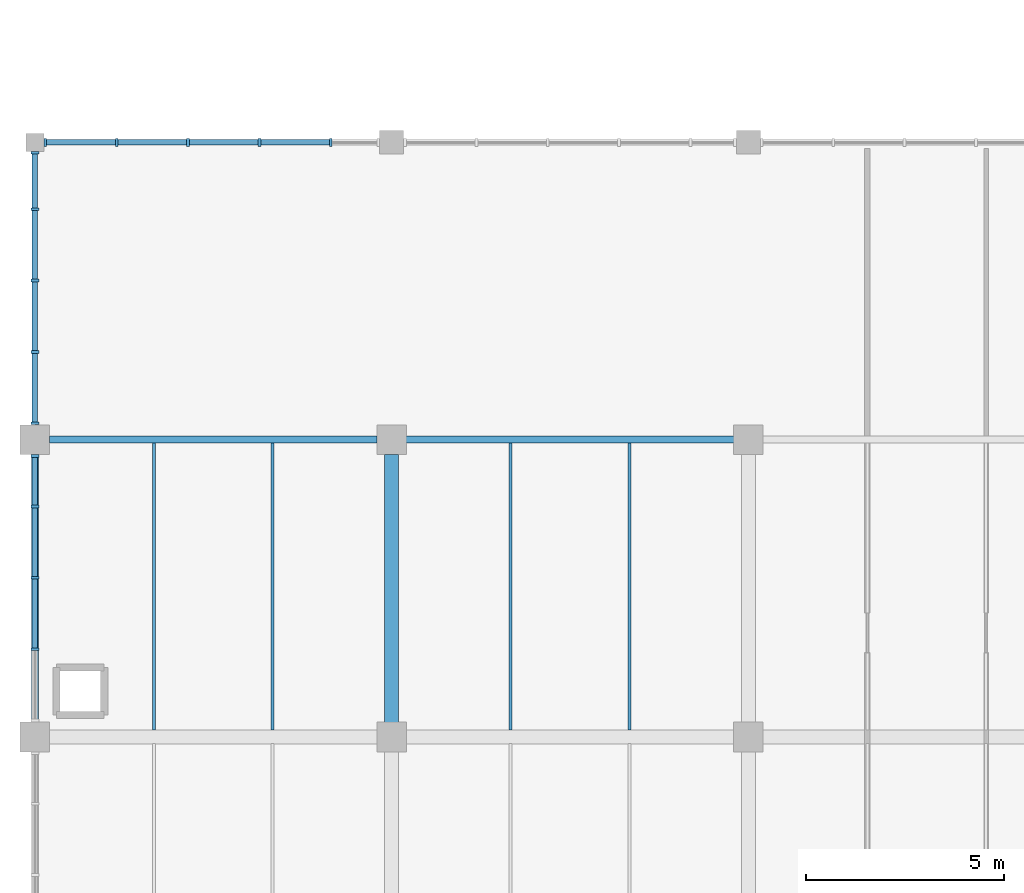
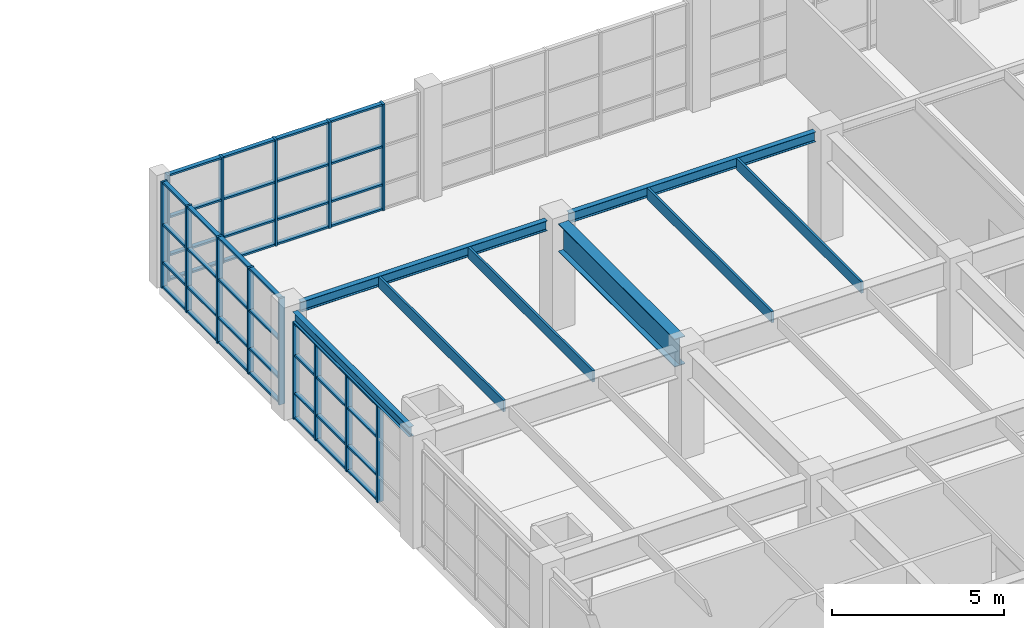
# One storey, part 15 of 76: 58 members, 8 beams, 3 elements without a shape of their own.
"""IFC4 building model written with IfcOpenShell, lengths in metres."""

import ifcopenshell
import ifcopenshell.guid

model = None  # the IFC model being written
_history = None  # IfcOwnerHistory: only IFC2X3 demands one
_inside = {}  # id of a spatial element -> (the spatial element, [elements in it])
_under = {}  # id of a project, library or spatial element -> (it, [spatial elements below it])
_declared = {}  # id of a project -> (the project, [libraries it declares])
_typed = {}  # id of a type object -> (the type object, [elements of that type])
_made_of = {}  # id of a material, layer set ... -> (it, [elements and type objects made of it])


def new_model(schema):
    """Start an empty IFC model of exactly this schema.

    Asked for "IFC4X3", IfcOpenShell would pick the latest addendum, in which some entities
    have other attributes; the version numbers below select the first issue.
    IFC2X3 requires an IfcOwnerHistory on every rooted entity: one is made here for all.
    """
    global model, _history
    if schema == "IFC4X3":
        model = ifcopenshell.file(schema_version=(4, 3, 0, 0))
    else:
        model = ifcopenshell.file(schema=schema)
    _inside.clear()
    _under.clear()
    _declared.clear()
    _typed.clear()
    _made_of.clear()
    _history = None
    if model.schema == "IFC2X3":
        org = make("IfcOrganization", Name="unknown")
        user = make(
            "IfcPersonAndOrganization",
            ThePerson=make("IfcPerson", FamilyName="unknown"),
            TheOrganization=org,
        )
        app = make(
            "IfcApplication",
            ApplicationDeveloper=org,
            Version="unknown",
            ApplicationFullName="unknown",
            ApplicationIdentifier="unknown",
        )
        _history = make(
            "IfcOwnerHistory",
            OwningUser=user,
            OwningApplication=app,
            ChangeAction="ADDED",
            CreationDate=0,
        )
    return model


def make(cls, **values):
    """One entity of the class cls with the attributes given. An attribute that is None is left unset."""
    return model.create_entity(
        cls, **{name: value for name, value in values.items() if value is not None}
    )


def rooted(cls, **values):
    """An entity with a GlobalId (a new one), such as an element, a storey or a relation."""
    return make(cls, GlobalId=ifcopenshell.guid.new(), OwnerHistory=_history, **values)


def si_unit(unit_type, name, prefix=None):
    """IfcSIUnit, for example si_unit("LENGTHUNIT", "METRE", prefix="MILLI")."""
    return make("IfcSIUnit", UnitType=unit_type, Prefix=prefix, Name=name)


def assignment(units):
    """IfcUnitAssignment: the units of a project."""
    return None if units is None else make("IfcUnitAssignment", Units=units)


def point(xyz):
    """IfcCartesianPoint."""
    return None if xyz is None else make("IfcCartesianPoint", Coordinates=xyz)


def direction(xyz):
    """IfcDirection."""
    return None if xyz is None else make("IfcDirection", DirectionRatios=xyz)


def frame(location, z_axis=None, x_axis=None):
    """IfcAxis2Placement3D, a coordinate frame: its origin and axes. An axis left out is left unset."""
    return make(
        "IfcAxis2Placement3D",
        Location=point(location),
        Axis=direction(z_axis),
        RefDirection=direction(x_axis),
    )


def frame_2d(location, x_axis=None):
    """IfcAxis2Placement2D, a coordinate frame in the plane: its origin and x axis."""
    return make(
        "IfcAxis2Placement2D", Location=point(location), RefDirection=direction(x_axis)
    )


def origin():
    """The frame at (0, 0, 0) with its axes left unset."""
    return frame((0.0, 0.0, 0.0))


def origin_2d():
    """The frame at (0, 0) in the plane with its x axis left unset."""
    return frame_2d((0.0, 0.0))


def place(relative_to, where):
    """IfcLocalPlacement: puts the frame where relative to a parent placement (None: the world)."""
    return make(
        "IfcLocalPlacement", PlacementRelTo=relative_to, RelativePlacement=where
    )


def context(
    kind, dimensions, precision=None, world=None, true_north=None, identifier=None
):
    """IfcGeometricRepresentationContext, for example the 3D "Model" context."""
    return make(
        "IfcGeometricRepresentationContext",
        ContextIdentifier=identifier,
        ContextType=kind,
        CoordinateSpaceDimension=dimensions,
        Precision=precision,
        WorldCoordinateSystem=world,
        TrueNorth=true_north,
    )


def subcontext(parent, identifier, kind, view, scale=None):
    """IfcGeometricRepresentationSubContext, for example "Body" below "Model"."""
    return make(
        "IfcGeometricRepresentationSubContext",
        ContextIdentifier=identifier,
        ContextType=kind,
        ParentContext=parent,
        TargetScale=scale,
        TargetView=view,
    )


def project(units=None, contexts=None):
    """IfcProject with its units and contexts."""
    return rooted(
        "IfcProject",
        Name="project",
        RepresentationContexts=contexts,
        UnitsInContext=assignment(units),
    )


def spatial(cls, under=None, at=None, **own):
    """A site, building, storey or space (cls), placed at a placement, below another one or the project."""
    s = rooted(cls, ObjectPlacement=at, **own)
    if under is not None:
        _under.setdefault(under.id(), (under, []))[1].append(s)
    return s


def profile(cls, at=None, kind="AREA", **sizes):
    """A parametric profile (cls). Its sizes go by their IFC names, for example OverallWidth=200.0."""
    return make(cls, ProfileType=kind, Position=at, **sizes)


def rectangle(**sizes):
    """IfcRectangleProfileDef."""
    return profile("IfcRectangleProfileDef", **sizes)


def i_section(**sizes):
    """IfcIShapeProfileDef."""
    return profile("IfcIShapeProfileDef", **sizes)


def extrude(swept, where, along, depth):
    """IfcExtrudedAreaSolid: the profile swept, set in the frame where, extruded along a direction by depth."""
    return make(
        "IfcExtrudedAreaSolid",
        SweptArea=swept,
        Position=where,
        ExtrudedDirection=direction(along),
        Depth=depth,
    )


def shape(context_of_items, identifier, shape_type, items):
    """IfcShapeRepresentation: the items that make up one representation, for example the "Body"."""
    return make(
        "IfcShapeRepresentation",
        ContextOfItems=context_of_items,
        RepresentationIdentifier=identifier,
        RepresentationType=shape_type,
        Items=items,
    )


def material(Name=None, Category=None):
    """IfcMaterial."""
    return make("IfcMaterial", Name=Name, Category=Category)


def layer(
    of_material, thickness, ventilated=None, Name=None, Category=None, Priority=None
):
    """IfcMaterialLayer: one layer of a wall or slab, of a material (None: an air gap)."""
    return make(
        "IfcMaterialLayer",
        Material=of_material,
        LayerThickness=thickness,
        IsVentilated=ventilated,
        Name=Name,
        Category=Category,
        Priority=Priority,
    )


def layer_set(layers, Name=None):
    """IfcMaterialLayerSet."""
    return make("IfcMaterialLayerSet", MaterialLayers=layers, LayerSetName=Name)


def material_profile(
    of_material, cross_section, Name=None, Category=None, Priority=None
):
    """IfcMaterialProfile: a cross section and its material."""
    return make(
        "IfcMaterialProfile",
        Name=Name,
        Material=of_material,
        Profile=cross_section,
        Priority=Priority,
        Category=Category,
    )


def profile_set(profiles, Name=None, composite=None):
    """IfcMaterialProfileSet."""
    return make(
        "IfcMaterialProfileSet",
        Name=Name,
        MaterialProfiles=profiles,
        CompositeProfile=composite,
    )


def made_of(thing, what):
    """Note that an element or type object is made of a material, layer set ...; save() writes the relation."""
    if what is not None:
        _made_of.setdefault(what.id(), (what, []))[1].append(thing)
    return thing


def type_object(cls, material=None, **own):
    """A type object (cls), such as IfcWallType, which elements share."""
    return made_of(rooted(cls, **own), material)


def element(
    cls,
    number,
    at=None,
    inside=None,
    cuts=None,
    type_object=None,
    material=None,
    context=None,
    identifier="Body",
    shape_type=None,
    held_by="IfcProductDefinitionShape",
    body=None,
    shapes=None,
    **own,
):
    """One element of the class cls, such as IfcWall. Its Tag is "e" and its number.

    at: its placement. inside: the storey or other place that contains it. cuts: it is an
    opening in that element (IfcRelVoidsElement). A single representation is given by context,
    identifier, shape_type and body (its items); several are given by shapes. held_by: the class
    of the entity that holds the representations. save() writes the other relations.
    """
    e = rooted(cls, Tag="e%d" % number, ObjectPlacement=at, **own)
    if body is not None:
        shapes = [shape(context, identifier, shape_type, body)]
    if shapes is not None:
        e.Representation = make(held_by, Representations=shapes)
    if inside is not None:
        _inside.setdefault(inside.id(), (inside, []))[1].append(e)
    if cuts is not None:
        rooted(
            "IfcRelVoidsElement", RelatingBuildingElement=cuts, RelatedOpeningElement=e
        )
    if type_object is not None:
        _typed.setdefault(type_object.id(), (type_object, []))[1].append(e)
    return made_of(e, material)


def aggregate(whole, parts):
    """IfcRelAggregates: a whole, such as a stair, and the parts it consists of."""
    return rooted("IfcRelAggregates", RelatingObject=whole, RelatedObjects=parts)


def save(model, path):
    """Write the relations noted so far, then the file.

    IfcRelAggregates (storeys below a building ...), IfcRelContainedInSpatialStructure (elements
    in a storey), IfcRelDefinesByType, IfcRelAssociatesMaterial and IfcRelDeclares: one each for
    every whole, place, type object, material and project.
    """
    for whole, parts in _under.values():
        aggregate(whole, parts)
    for where, things in _inside.values():
        rooted(
            "IfcRelContainedInSpatialStructure",
            RelatedElements=things,
            RelatingStructure=where,
        )
    for kind, things in _typed.values():
        rooted("IfcRelDefinesByType", RelatedObjects=things, RelatingType=kind)
    for what, things in _made_of.values():
        rooted("IfcRelAssociatesMaterial", RelatedObjects=things, RelatingMaterial=what)
    for by, libraries in _declared.values():
        rooted("IfcRelDeclares", RelatingContext=by, RelatedDefinitions=libraries)
    model.write(path)


model = new_model("IFC4")

# Units and contexts
model_context = context("Model", 3, precision=1e-05, world=origin(), true_north=direction((0.0, 1.0)))
body_context = subcontext(model_context, "Body", "Model", "MODEL_VIEW")
ifc_project = project(units=[si_unit("LENGTHUNIT", "METRE"), si_unit("AREAUNIT", "SQUARE_METRE"), si_unit("VOLUMEUNIT", "CUBIC_METRE"), si_unit("PLANEANGLEUNIT", "RADIAN"), si_unit("MASSUNIT", "GRAM", prefix="KILO")], contexts=[model_context])

# Site, building, storey
site_placement = place(None, origin())
site = spatial("IfcSite", under=ifc_project, at=site_placement, CompositionType="ELEMENT")
building_placement = place(site_placement, origin())
building = spatial("IfcBuilding", under=site, at=building_placement, Name="Marnridge Secondary College", CompositionType="ELEMENT")
storey_placement = place(building_placement, frame((0.0, 0.0, 4.5)))
storey = spatial("IfcBuildingStorey", under=building, at=storey_placement, Name="L01", CompositionType="ELEMENT", Elevation=4.5)

# Beams
ifc_material_1 = material(Name="Engineered timber LVL E13.2", Category="wood")
ifc_material_profile_1 = material_profile(ifc_material_1, rectangle(XDim=0.074951171875, YDim=0.39990234375, at=origin_2d()), Name="LVL 75x400")
ifc_profile_set_1 = profile_set([ifc_material_profile_1], Name="Engineered timber LVL E13.2")
beam_type_1 = type_object("IfcBeamType", Name="BM-LVL400-INT", PredefinedType="JOIST", material=ifc_profile_set_1)
for number, where, z_axis, x_axis, name in (
    (1, (3.0, 30.1689453125, 3.570068359375), (0.0, 1.0, 0.0), (-1.0, 0.0, 0.0), "Beam BJ-L01-0748"),
    (2, (6.0, 30.1689453125, 3.570068359375), (0.0, 1.0, 0.0), (-1.0, 0.0, 0.0), "Beam BJ-L01-0749"),
    (3, (12.0, 30.1689453125, 3.570068359375), (0.0, 1.0, 0.0), (-1.0, 0.0, 0.0), "Beam BJ-L01-0750"),
    (4, (15.0, 30.1689453125, 3.570068359375), (0.0, 1.0, 0.0), (-1.0, 0.0, 0.0), "Beam BJ-L01-0751"),
):
    element("IfcBeam", number, at=place(storey_placement, frame(where, z_axis=z_axis, x_axis=x_axis)), inside=storey, type_object=beam_type_1, Name=name, PredefinedType="JOIST", context=body_context, shape_type="SweptSolid", body=[
        extrude(rectangle(XDim=0.074951171875, YDim=0.39990234375, at=origin_2d()), origin(), (0.0, 0.0, 1.0), 7.25146484375),
    ])
ifc_material_2 = material(Name="Structural steel Grade 350 (AS/NZS 3679.1/.2, fy = 340-360 MPa)", Category="steel")
ifc_material_profile_2 = material_profile(ifc_material_2, i_section(OverallWidth=0.1708984375, OverallDepth=0.35205078125, WebThickness=0.0068359375, FlangeThickness=0.009765625, FilletRadius=0.011474609375, at=origin_2d()), Name="360UB44.7")
ifc_profile_set_2 = profile_set([ifc_material_profile_2], Name="Structural steel Grade 350 (AS/NZS 3679.1/.2, fy = 340-360 MPa)")
beam_type_2 = type_object("IfcBeamType", Name="BM-UB360-EXT", PredefinedType="SPANDREL", material=ifc_profile_set_2)
beam_1_placement = place(storey_placement, frame((0.368896484375, 37.5, 3.593994140625), z_axis=(1.0, 0.0, 0.0), x_axis=(0.0, 1.0, 0.0)))
element("IfcBeam", 5, at=beam_1_placement, inside=storey, type_object=beam_type_2, Name="Beam BS-L01-0704", PredefinedType="SPANDREL", context=body_context, shape_type="SweptSolid", body=[
    extrude(i_section(OverallWidth=0.1708984375, OverallDepth=0.35205078125, WebThickness=0.0068359375, FlangeThickness=0.009765625, FilletRadius=0.011474609375, at=origin_2d()), origin(), (0.0, 0.0, 1.0), 8.26220703125),
])
beam_2_placement = place(storey_placement, frame((0.0, 30.368896484375, 3.593994140625), z_axis=(0.0, 1.0, 0.0), x_axis=(-1.0, 0.0, 0.0)))
element("IfcBeam", 6, at=beam_2_placement, inside=storey, type_object=beam_type_2, Name="Beam BS-L01-0705", PredefinedType="SPANDREL", context=body_context, shape_type="SweptSolid", body=[
    extrude(i_section(OverallWidth=0.1708984375, OverallDepth=0.35205078125, WebThickness=0.0068359375, FlangeThickness=0.009765625, FilletRadius=0.011474609375, at=origin_2d()), origin(), (0.0, 0.0, 1.0), 6.76220703125),
])
beam_3_placement = place(storey_placement, frame((9.368896484375, 37.5, 3.593994140625), z_axis=(1.0, 0.0, 0.0), x_axis=(0.0, 1.0, 0.0)))
element("IfcBeam", 7, at=beam_3_placement, inside=storey, type_object=beam_type_2, Name="Beam BS-L01-0707", PredefinedType="SPANDREL", context=body_context, shape_type="SweptSolid", body=[
    extrude(i_section(OverallWidth=0.1708984375, OverallDepth=0.35205078125, WebThickness=0.0068359375, FlangeThickness=0.009765625, FilletRadius=0.011474609375, at=origin_2d()), origin(), (0.0, 0.0, 1.0), 8.26220703125),
])
ifc_material_3 = material(Name="Structural steel Grade 350 (AS/NZS 3679.1/.2, fy = 340-360 MPa)", Category="steel")
ifc_material_profile_3 = material_profile(ifc_material_3, i_section(OverallWidth=0.35009765625, OverallDepth=0.989990234375, WebThickness=0.01611328125, FlangeThickness=0.02490234375, at=origin_2d()), Name="1000WB258")
ifc_profile_set_3 = profile_set([ifc_material_profile_3], Name="Structural steel Grade 350 (AS/NZS 3679.1/.2, fy = 340-360 MPa)")
beam_type_3 = type_object("IfcBeamType", Name="BM-WB1000-INT", PredefinedType="BEAM", material=ifc_profile_set_3)
beam_4_placement = place(storey_placement, frame((9.0, 30.368896484375, 3.27490234375), z_axis=(0.0, 1.0, 0.0), x_axis=(-1.0, 0.0, 0.0)))
element("IfcBeam", 8, at=beam_4_placement, inside=storey, type_object=beam_type_3, Name="Beam B-L01-0706", PredefinedType="BEAM", context=body_context, shape_type="SweptSolid", body=[
    extrude(i_section(OverallWidth=0.35009765625, OverallDepth=0.989990234375, WebThickness=0.01611328125, FlangeThickness=0.02490234375, at=origin_2d()), origin(), (0.0, 0.0, 1.0), 6.76220703125),
])

# Curtain wall, members
ifc_material_4 = material(Name="Bronze-anodised aluminium and solar-control glazing", Category="aluminium")
ifc_layer = layer(ifc_material_4, 0.199951171875)
ifc_layer_set = layer_set([ifc_layer], Name="CW-MOD-1800")
curtain_wall_type = type_object("IfcCurtainWallType", Name="CW-MOD-1800", PredefinedType="NOTDEFINED", material=ifc_layer_set)
curtain_wall_1_placement = place(storey_placement, origin())
curtain_wall_1 = element("IfcCurtainWall", 9, at=curtain_wall_1_placement, inside=storey, type_object=curtain_wall_type, Name="Unitised curtain wall CW-L01-059", PredefinedType="NOTDEFINED")
ifc_material_5 = material(Name="Bronze-anodised aluminium 6063-T6", Category="aluminium")
ifc_material_profile_4 = material_profile(ifc_material_5, rectangle(XDim=0.070068359375, YDim=0.199951171875, at=origin_2d()), Name="ALU 70x200")
ifc_profile_set_4 = profile_set([ifc_material_profile_4], Name="Bronze-anodised aluminium 6063-T6")
member_type_1 = type_object("IfcMemberType", Name="CWM-ALU200", PredefinedType="MULLION", material=ifc_profile_set_4)
member_1_placement = place(storey_placement, frame((0.263916015625, 45.0, 0.0), z_axis=(0.0, 0.0, 1.0), x_axis=(1.0, 0.0, 0.0)))
member_1 = element("IfcMember", 10, at=member_1_placement, type_object=member_type_1, Name="CW-L01-059 mullion 1", PredefinedType="MULLION", context=body_context, shape_type="SweptSolid", body=[
    extrude(rectangle(XDim=0.070068359375, YDim=0.199951171875, at=origin_2d()), origin(), (0.0, 0.0, 1.0), 3.77001953125),
])
member_2_placement = place(storey_placement, frame((2.06396484375, 45.0, 0.0), z_axis=(0.0, 0.0, 1.0), x_axis=(1.0, 0.0, 0.0)))
member_2 = element("IfcMember", 11, at=member_2_placement, type_object=member_type_1, Name="CW-L01-059 mullion 2", PredefinedType="MULLION", context=body_context, shape_type="SweptSolid", body=[
    extrude(rectangle(XDim=0.070068359375, YDim=0.199951171875, at=origin_2d()), origin(), (0.0, 0.0, 1.0), 3.77001953125),
])
member_3_placement = place(storey_placement, frame((3.864013671875, 45.0, 0.0), z_axis=(0.0, 0.0, 1.0), x_axis=(1.0, 0.0, 0.0)))
member_3 = element("IfcMember", 12, at=member_3_placement, type_object=member_type_1, Name="CW-L01-059 mullion 3", PredefinedType="MULLION", context=body_context, shape_type="SweptSolid", body=[
    extrude(rectangle(XDim=0.070068359375, YDim=0.199951171875, at=origin_2d()), origin(), (0.0, 0.0, 1.0), 3.77001953125),
])
member_4_placement = place(storey_placement, frame((5.6640625, 45.0, 0.0), z_axis=(0.0, 0.0, 1.0), x_axis=(1.0, 0.0, 0.0)))
member_4 = element("IfcMember", 13, at=member_4_placement, type_object=member_type_1, Name="CW-L01-059 mullion 4", PredefinedType="MULLION", context=body_context, shape_type="SweptSolid", body=[
    extrude(rectangle(XDim=0.070068359375, YDim=0.199951171875, at=origin_2d()), origin(), (0.0, 0.0, 1.0), 3.77001953125),
])
member_5_placement = place(storey_placement, frame((7.464111328125, 45.0, 0.0), z_axis=(0.0, 0.0, 1.0), x_axis=(1.0, 0.0, 0.0)))
member_5 = element("IfcMember", 14, at=member_5_placement, type_object=member_type_1, Name="CW-L01-059 mullion 5", PredefinedType="MULLION", context=body_context, shape_type="SweptSolid", body=[
    extrude(rectangle(XDim=0.070068359375, YDim=0.199951171875, at=origin_2d()), origin(), (0.0, 0.0, 1.0), 3.77001953125),
])

curtain_wall_2_placement = place(storey_placement, origin())
curtain_wall_2 = element("IfcCurtainWall", 15, at=curtain_wall_2_placement, inside=storey, type_object=curtain_wall_type, Name="Unitised curtain wall CW-L01-071", PredefinedType="NOTDEFINED")
member_6_placement = place(storey_placement, frame((0.0, 32.214111328125, 0.0), z_axis=(0.0, 0.0, 1.0), x_axis=(0.0, 1.0, 0.0)))
member_6 = element("IfcMember", 16, at=member_6_placement, type_object=member_type_1, Name="CW-L01-071 mullion 2", PredefinedType="MULLION", context=body_context, shape_type="SweptSolid", body=[
    extrude(rectangle(XDim=0.070068359375, YDim=0.199951171875, at=origin_2d()), origin(), (0.0, 0.0, 1.0), 3.409912109375),
])
member_7_placement = place(storey_placement, frame((0.0, 34.013916015625, 0.0), z_axis=(0.0, 0.0, 1.0), x_axis=(0.0, 1.0, 0.0)))
member_7 = element("IfcMember", 17, at=member_7_placement, type_object=member_type_1, Name="CW-L01-071 mullion 3", PredefinedType="MULLION", context=body_context, shape_type="SweptSolid", body=[
    extrude(rectangle(XDim=0.070068359375, YDim=0.199951171875, at=origin_2d()), origin(), (0.0, 0.0, 1.0), 3.409912109375),
])
member_8_placement = place(storey_placement, frame((0.0, 35.81396484375, 0.0), z_axis=(0.0, 0.0, 1.0), x_axis=(0.0, 1.0, 0.0)))
member_8 = element("IfcMember", 18, at=member_8_placement, type_object=member_type_1, Name="CW-L01-071 mullion 4", PredefinedType="MULLION", context=body_context, shape_type="SweptSolid", body=[
    extrude(rectangle(XDim=0.070068359375, YDim=0.199951171875, at=origin_2d()), origin(), (0.0, 0.0, 1.0), 3.409912109375),
])
member_9_placement = place(storey_placement, frame((0.0, 37.0859375, 0.0), z_axis=(0.0, 0.0, 1.0), x_axis=(0.0, 1.0, 0.0)))
member_9 = element("IfcMember", 19, at=member_9_placement, type_object=member_type_1, Name="CW-L01-071 mullion 5", PredefinedType="MULLION", context=body_context, shape_type="SweptSolid", body=[
    extrude(rectangle(XDim=0.070068359375, YDim=0.199951171875, at=origin_2d()), origin(), (0.0, 0.0, 1.0), 3.409912109375),
])

curtain_wall_3_placement = place(storey_placement, origin())
curtain_wall_3 = element("IfcCurtainWall", 20, at=curtain_wall_3_placement, inside=storey, type_object=curtain_wall_type, Name="Unitised curtain wall CW-L01-072", PredefinedType="NOTDEFINED")
member_10_placement = place(storey_placement, frame((0.0, 37.9140625, 0.0), z_axis=(0.0, 0.0, 1.0), x_axis=(0.0, 1.0, 0.0)))
member_10 = element("IfcMember", 21, at=member_10_placement, type_object=member_type_1, Name="CW-L01-072 mullion 1", PredefinedType="MULLION", context=body_context, shape_type="SweptSolid", body=[
    extrude(rectangle(XDim=0.070068359375, YDim=0.199951171875, at=origin_2d()), origin(), (0.0, 0.0, 1.0), 3.77001953125),
])
member_11_placement = place(storey_placement, frame((0.0, 39.714111328125, 0.0), z_axis=(0.0, 0.0, 1.0), x_axis=(0.0, 1.0, 0.0)))
member_11 = element("IfcMember", 22, at=member_11_placement, type_object=member_type_1, Name="CW-L01-072 mullion 2", PredefinedType="MULLION", context=body_context, shape_type="SweptSolid", body=[
    extrude(rectangle(XDim=0.070068359375, YDim=0.199951171875, at=origin_2d()), origin(), (0.0, 0.0, 1.0), 3.77001953125),
])
member_12_placement = place(storey_placement, frame((0.0, 41.513916015625, 0.0), z_axis=(0.0, 0.0, 1.0), x_axis=(0.0, 1.0, 0.0)))
member_12 = element("IfcMember", 23, at=member_12_placement, type_object=member_type_1, Name="CW-L01-072 mullion 3", PredefinedType="MULLION", context=body_context, shape_type="SweptSolid", body=[
    extrude(rectangle(XDim=0.070068359375, YDim=0.199951171875, at=origin_2d()), origin(), (0.0, 0.0, 1.0), 3.77001953125),
])
member_13_placement = place(storey_placement, frame((0.0, 43.31396484375, 0.0), z_axis=(0.0, 0.0, 1.0), x_axis=(0.0, 1.0, 0.0)))
member_13 = element("IfcMember", 24, at=member_13_placement, type_object=member_type_1, Name="CW-L01-072 mullion 4", PredefinedType="MULLION", context=body_context, shape_type="SweptSolid", body=[
    extrude(rectangle(XDim=0.070068359375, YDim=0.199951171875, at=origin_2d()), origin(), (0.0, 0.0, 1.0), 3.77001953125),
])
member_14_placement = place(storey_placement, frame((0.0, 44.736083984375, 0.0), z_axis=(0.0, 0.0, 1.0), x_axis=(0.0, 1.0, 0.0)))
member_14 = element("IfcMember", 25, at=member_14_placement, type_object=member_type_1, Name="CW-L01-072 mullion 5", PredefinedType="MULLION", context=body_context, shape_type="SweptSolid", body=[
    extrude(rectangle(XDim=0.070068359375, YDim=0.199951171875, at=origin_2d()), origin(), (0.0, 0.0, 1.0), 3.77001953125),
])

# Member
ifc_material_6 = material(Name="Anodised aluminium 6063-T6", Category="aluminium")
ifc_material_profile_5 = material_profile(ifc_material_6, rectangle(XDim=0.06494140625, YDim=0.139892578125, at=origin_2d()), Name="ALU 65x140")
ifc_profile_set_5 = profile_set([ifc_material_profile_5], Name="Anodised aluminium 6063-T6")
member_type_2 = type_object("IfcMemberType", Name="CWT-ALU140", PredefinedType="USERDEFINED", material=ifc_profile_set_5)
member_15_placement = place(storey_placement, frame((0.299072265625, 45.0, 0.032470703125), z_axis=(1.0, 0.0, 0.0), x_axis=(0.0, 0.0, 1.0)))
member_15 = element("IfcMember", 26, at=member_15_placement, type_object=member_type_2, Name="CW-L01-059 transom 1.1", ObjectType="TRANSOM", PredefinedType="USERDEFINED", context=body_context, shape_type="SweptSolid", body=[
    extrude(rectangle(XDim=0.06494140625, YDim=0.139892578125, at=origin_2d()), origin(), (0.0, 0.0, 1.0), 1.72998046875),
])

member_16_placement = place(storey_placement, frame((0.299072265625, 45.0, 0.89990234375), z_axis=(1.0, 0.0, 0.0), x_axis=(0.0, 0.0, 1.0)))
member_16 = element("IfcMember", 27, at=member_16_placement, type_object=member_type_2, Name="CW-L01-059 transom 1.2", ObjectType="TRANSOM", PredefinedType="USERDEFINED", context=body_context, shape_type="SweptSolid", body=[
    extrude(rectangle(XDim=0.06494140625, YDim=0.139892578125, at=origin_2d()), origin(), (0.0, 0.0, 1.0), 1.72998046875),
])

member_17_placement = place(storey_placement, frame((0.299072265625, 45.0, 2.25), z_axis=(1.0, 0.0, 0.0), x_axis=(0.0, 0.0, 1.0)))
member_17 = element("IfcMember", 28, at=member_17_placement, type_object=member_type_2, Name="CW-L01-059 transom 1.3", ObjectType="TRANSOM", PredefinedType="USERDEFINED", context=body_context, shape_type="SweptSolid", body=[
    extrude(rectangle(XDim=0.06494140625, YDim=0.139892578125, at=origin_2d()), origin(), (0.0, 0.0, 1.0), 1.72998046875),
])

member_18_placement = place(storey_placement, frame((0.299072265625, 45.0, 3.737548828125), z_axis=(1.0, 0.0, 0.0), x_axis=(0.0, 0.0, 1.0)))
member_18 = element("IfcMember", 29, at=member_18_placement, type_object=member_type_2, Name="CW-L01-059 transom 1.4", ObjectType="TRANSOM", PredefinedType="USERDEFINED", context=body_context, shape_type="SweptSolid", body=[
    extrude(rectangle(XDim=0.06494140625, YDim=0.139892578125, at=origin_2d()), origin(), (0.0, 0.0, 1.0), 1.72998046875),
])

member_19_placement = place(storey_placement, frame((2.09912109375, 45.0, 0.032470703125), z_axis=(1.0, 0.0, 0.0), x_axis=(0.0, 0.0, 1.0)))
member_19 = element("IfcMember", 30, at=member_19_placement, type_object=member_type_2, Name="CW-L01-059 transom 2.1", ObjectType="TRANSOM", PredefinedType="USERDEFINED", context=body_context, shape_type="SweptSolid", body=[
    extrude(rectangle(XDim=0.06494140625, YDim=0.139892578125, at=origin_2d()), origin(), (0.0, 0.0, 1.0), 1.72998046875),
])

member_20_placement = place(storey_placement, frame((2.09912109375, 45.0, 0.89990234375), z_axis=(1.0, 0.0, 0.0), x_axis=(0.0, 0.0, 1.0)))
member_20 = element("IfcMember", 31, at=member_20_placement, type_object=member_type_2, Name="CW-L01-059 transom 2.2", ObjectType="TRANSOM", PredefinedType="USERDEFINED", context=body_context, shape_type="SweptSolid", body=[
    extrude(rectangle(XDim=0.06494140625, YDim=0.139892578125, at=origin_2d()), origin(), (0.0, 0.0, 1.0), 1.72998046875),
])

member_21_placement = place(storey_placement, frame((2.09912109375, 45.0, 2.25), z_axis=(1.0, 0.0, 0.0), x_axis=(0.0, 0.0, 1.0)))
member_21 = element("IfcMember", 32, at=member_21_placement, type_object=member_type_2, Name="CW-L01-059 transom 2.3", ObjectType="TRANSOM", PredefinedType="USERDEFINED", context=body_context, shape_type="SweptSolid", body=[
    extrude(rectangle(XDim=0.06494140625, YDim=0.139892578125, at=origin_2d()), origin(), (0.0, 0.0, 1.0), 1.72998046875),
])

member_22_placement = place(storey_placement, frame((2.09912109375, 45.0, 3.737548828125), z_axis=(1.0, 0.0, 0.0), x_axis=(0.0, 0.0, 1.0)))
member_22 = element("IfcMember", 33, at=member_22_placement, type_object=member_type_2, Name="CW-L01-059 transom 2.4", ObjectType="TRANSOM", PredefinedType="USERDEFINED", context=body_context, shape_type="SweptSolid", body=[
    extrude(rectangle(XDim=0.06494140625, YDim=0.139892578125, at=origin_2d()), origin(), (0.0, 0.0, 1.0), 1.72998046875),
])

member_23_placement = place(storey_placement, frame((3.89892578125, 45.0, 0.032470703125), z_axis=(1.0, 0.0, 0.0), x_axis=(0.0, 0.0, 1.0)))
member_23 = element("IfcMember", 34, at=member_23_placement, type_object=member_type_2, Name="CW-L01-059 transom 3.1", ObjectType="TRANSOM", PredefinedType="USERDEFINED", context=body_context, shape_type="SweptSolid", body=[
    extrude(rectangle(XDim=0.06494140625, YDim=0.139892578125, at=origin_2d()), origin(), (0.0, 0.0, 1.0), 1.72998046875),
])

member_24_placement = place(storey_placement, frame((3.89892578125, 45.0, 0.89990234375), z_axis=(1.0, 0.0, 0.0), x_axis=(0.0, 0.0, 1.0)))
member_24 = element("IfcMember", 35, at=member_24_placement, type_object=member_type_2, Name="CW-L01-059 transom 3.2", ObjectType="TRANSOM", PredefinedType="USERDEFINED", context=body_context, shape_type="SweptSolid", body=[
    extrude(rectangle(XDim=0.06494140625, YDim=0.139892578125, at=origin_2d()), origin(), (0.0, 0.0, 1.0), 1.72998046875),
])

member_25_placement = place(storey_placement, frame((3.89892578125, 45.0, 2.25), z_axis=(1.0, 0.0, 0.0), x_axis=(0.0, 0.0, 1.0)))
member_25 = element("IfcMember", 36, at=member_25_placement, type_object=member_type_2, Name="CW-L01-059 transom 3.3", ObjectType="TRANSOM", PredefinedType="USERDEFINED", context=body_context, shape_type="SweptSolid", body=[
    extrude(rectangle(XDim=0.06494140625, YDim=0.139892578125, at=origin_2d()), origin(), (0.0, 0.0, 1.0), 1.72998046875),
])

member_26_placement = place(storey_placement, frame((3.89892578125, 45.0, 3.737548828125), z_axis=(1.0, 0.0, 0.0), x_axis=(0.0, 0.0, 1.0)))
member_26 = element("IfcMember", 37, at=member_26_placement, type_object=member_type_2, Name="CW-L01-059 transom 3.4", ObjectType="TRANSOM", PredefinedType="USERDEFINED", context=body_context, shape_type="SweptSolid", body=[
    extrude(rectangle(XDim=0.06494140625, YDim=0.139892578125, at=origin_2d()), origin(), (0.0, 0.0, 1.0), 1.72998046875),
])

member_27_placement = place(storey_placement, frame((5.698974609375, 45.0, 0.032470703125), z_axis=(1.0, 0.0, 0.0), x_axis=(0.0, 0.0, 1.0)))
member_27 = element("IfcMember", 38, at=member_27_placement, type_object=member_type_2, Name="CW-L01-059 transom 4.1", ObjectType="TRANSOM", PredefinedType="USERDEFINED", context=body_context, shape_type="SweptSolid", body=[
    extrude(rectangle(XDim=0.06494140625, YDim=0.139892578125, at=origin_2d()), origin(), (0.0, 0.0, 1.0), 1.72998046875),
])

member_28_placement = place(storey_placement, frame((5.698974609375, 45.0, 0.89990234375), z_axis=(1.0, 0.0, 0.0), x_axis=(0.0, 0.0, 1.0)))
member_28 = element("IfcMember", 39, at=member_28_placement, type_object=member_type_2, Name="CW-L01-059 transom 4.2", ObjectType="TRANSOM", PredefinedType="USERDEFINED", context=body_context, shape_type="SweptSolid", body=[
    extrude(rectangle(XDim=0.06494140625, YDim=0.139892578125, at=origin_2d()), origin(), (0.0, 0.0, 1.0), 1.72998046875),
])

member_29_placement = place(storey_placement, frame((5.698974609375, 45.0, 2.25), z_axis=(1.0, 0.0, 0.0), x_axis=(0.0, 0.0, 1.0)))
member_29 = element("IfcMember", 40, at=member_29_placement, type_object=member_type_2, Name="CW-L01-059 transom 4.3", ObjectType="TRANSOM", PredefinedType="USERDEFINED", context=body_context, shape_type="SweptSolid", body=[
    extrude(rectangle(XDim=0.06494140625, YDim=0.139892578125, at=origin_2d()), origin(), (0.0, 0.0, 1.0), 1.72998046875),
])

member_30_placement = place(storey_placement, frame((5.698974609375, 45.0, 3.737548828125), z_axis=(1.0, 0.0, 0.0), x_axis=(0.0, 0.0, 1.0)))
member_30 = element("IfcMember", 41, at=member_30_placement, type_object=member_type_2, Name="CW-L01-059 transom 4.4", ObjectType="TRANSOM", PredefinedType="USERDEFINED", context=body_context, shape_type="SweptSolid", body=[
    extrude(rectangle(XDim=0.06494140625, YDim=0.139892578125, at=origin_2d()), origin(), (0.0, 0.0, 1.0), 1.72998046875),
])

aggregate(curtain_wall_1, [member_1, member_2, member_3, member_4, member_5, member_15, member_16, member_17, member_18, member_19, member_20, member_21, member_22, member_23, member_24, member_25, member_26, member_27, member_28, member_29, member_30])

member_31_placement = place(storey_placement, frame((0.0, 32.2490234375, 0.032470703125), z_axis=(0.0, 1.0, 0.0), x_axis=(0.0, 0.0, 1.0)))
member_31 = element("IfcMember", 42, at=member_31_placement, type_object=member_type_2, Name="CW-L01-071 transom 2.1", ObjectType="TRANSOM", PredefinedType="USERDEFINED", context=body_context, shape_type="SweptSolid", body=[
    extrude(rectangle(XDim=0.06494140625, YDim=0.139892578125, at=origin_2d()), origin(), (0.0, 0.0, 1.0), 1.72998046875),
])

member_32_placement = place(storey_placement, frame((0.0, 32.2490234375, 0.89990234375), z_axis=(0.0, 1.0, 0.0), x_axis=(0.0, 0.0, 1.0)))
member_32 = element("IfcMember", 43, at=member_32_placement, type_object=member_type_2, Name="CW-L01-071 transom 2.2", ObjectType="TRANSOM", PredefinedType="USERDEFINED", context=body_context, shape_type="SweptSolid", body=[
    extrude(rectangle(XDim=0.06494140625, YDim=0.139892578125, at=origin_2d()), origin(), (0.0, 0.0, 1.0), 1.72998046875),
])

member_33_placement = place(storey_placement, frame((0.0, 32.2490234375, 2.25), z_axis=(0.0, 1.0, 0.0), x_axis=(0.0, 0.0, 1.0)))
member_33 = element("IfcMember", 44, at=member_33_placement, type_object=member_type_2, Name="CW-L01-071 transom 2.3", ObjectType="TRANSOM", PredefinedType="USERDEFINED", context=body_context, shape_type="SweptSolid", body=[
    extrude(rectangle(XDim=0.06494140625, YDim=0.139892578125, at=origin_2d()), origin(), (0.0, 0.0, 1.0), 1.72998046875),
])

member_34_placement = place(storey_placement, frame((0.0, 32.2490234375, 3.37744140625), z_axis=(0.0, 1.0, 0.0), x_axis=(0.0, 0.0, 1.0)))
member_34 = element("IfcMember", 45, at=member_34_placement, type_object=member_type_2, Name="CW-L01-071 transom 2.4", ObjectType="TRANSOM", PredefinedType="USERDEFINED", context=body_context, shape_type="SweptSolid", body=[
    extrude(rectangle(XDim=0.06494140625, YDim=0.139892578125, at=origin_2d()), origin(), (0.0, 0.0, 1.0), 1.72998046875),
])

member_35_placement = place(storey_placement, frame((0.0, 34.049072265625, 0.032470703125), z_axis=(0.0, 1.0, 0.0), x_axis=(0.0, 0.0, 1.0)))
member_35 = element("IfcMember", 46, at=member_35_placement, type_object=member_type_2, Name="CW-L01-071 transom 3.1", ObjectType="TRANSOM", PredefinedType="USERDEFINED", context=body_context, shape_type="SweptSolid", body=[
    extrude(rectangle(XDim=0.06494140625, YDim=0.139892578125, at=origin_2d()), origin(), (0.0, 0.0, 1.0), 1.72998046875),
])

member_36_placement = place(storey_placement, frame((0.0, 34.049072265625, 0.89990234375), z_axis=(0.0, 1.0, 0.0), x_axis=(0.0, 0.0, 1.0)))
member_36 = element("IfcMember", 47, at=member_36_placement, type_object=member_type_2, Name="CW-L01-071 transom 3.2", ObjectType="TRANSOM", PredefinedType="USERDEFINED", context=body_context, shape_type="SweptSolid", body=[
    extrude(rectangle(XDim=0.06494140625, YDim=0.139892578125, at=origin_2d()), origin(), (0.0, 0.0, 1.0), 1.72998046875),
])

member_37_placement = place(storey_placement, frame((0.0, 34.049072265625, 2.25), z_axis=(0.0, 1.0, 0.0), x_axis=(0.0, 0.0, 1.0)))
member_37 = element("IfcMember", 48, at=member_37_placement, type_object=member_type_2, Name="CW-L01-071 transom 3.3", ObjectType="TRANSOM", PredefinedType="USERDEFINED", context=body_context, shape_type="SweptSolid", body=[
    extrude(rectangle(XDim=0.06494140625, YDim=0.139892578125, at=origin_2d()), origin(), (0.0, 0.0, 1.0), 1.72998046875),
])

member_38_placement = place(storey_placement, frame((0.0, 34.049072265625, 3.37744140625), z_axis=(0.0, 1.0, 0.0), x_axis=(0.0, 0.0, 1.0)))
member_38 = element("IfcMember", 49, at=member_38_placement, type_object=member_type_2, Name="CW-L01-071 transom 3.4", ObjectType="TRANSOM", PredefinedType="USERDEFINED", context=body_context, shape_type="SweptSolid", body=[
    extrude(rectangle(XDim=0.06494140625, YDim=0.139892578125, at=origin_2d()), origin(), (0.0, 0.0, 1.0), 1.72998046875),
])

member_39_placement = place(storey_placement, frame((0.0, 35.84912109375, 0.032470703125), z_axis=(0.0, 1.0, 0.0), x_axis=(0.0, 0.0, 1.0)))
member_39 = element("IfcMember", 50, at=member_39_placement, type_object=member_type_2, Name="CW-L01-071 transom 4.1", ObjectType="TRANSOM", PredefinedType="USERDEFINED", context=body_context, shape_type="SweptSolid", body=[
    extrude(rectangle(XDim=0.06494140625, YDim=0.139892578125, at=origin_2d()), origin(), (0.0, 0.0, 1.0), 1.201904296875),
])

member_40_placement = place(storey_placement, frame((0.0, 35.84912109375, 0.89990234375), z_axis=(0.0, 1.0, 0.0), x_axis=(0.0, 0.0, 1.0)))
member_40 = element("IfcMember", 51, at=member_40_placement, type_object=member_type_2, Name="CW-L01-071 transom 4.2", ObjectType="TRANSOM", PredefinedType="USERDEFINED", context=body_context, shape_type="SweptSolid", body=[
    extrude(rectangle(XDim=0.06494140625, YDim=0.139892578125, at=origin_2d()), origin(), (0.0, 0.0, 1.0), 1.201904296875),
])

member_41_placement = place(storey_placement, frame((0.0, 35.84912109375, 2.25), z_axis=(0.0, 1.0, 0.0), x_axis=(0.0, 0.0, 1.0)))
member_41 = element("IfcMember", 52, at=member_41_placement, type_object=member_type_2, Name="CW-L01-071 transom 4.3", ObjectType="TRANSOM", PredefinedType="USERDEFINED", context=body_context, shape_type="SweptSolid", body=[
    extrude(rectangle(XDim=0.06494140625, YDim=0.139892578125, at=origin_2d()), origin(), (0.0, 0.0, 1.0), 1.201904296875),
])

member_42_placement = place(storey_placement, frame((0.0, 35.84912109375, 3.37744140625), z_axis=(0.0, 1.0, 0.0), x_axis=(0.0, 0.0, 1.0)))
member_42 = element("IfcMember", 53, at=member_42_placement, type_object=member_type_2, Name="CW-L01-071 transom 4.4", ObjectType="TRANSOM", PredefinedType="USERDEFINED", context=body_context, shape_type="SweptSolid", body=[
    extrude(rectangle(XDim=0.06494140625, YDim=0.139892578125, at=origin_2d()), origin(), (0.0, 0.0, 1.0), 1.201904296875),
])

aggregate(curtain_wall_2, [member_6, member_7, member_8, member_9, member_31, member_32, member_33, member_34, member_35, member_36, member_37, member_38, member_39, member_40, member_41, member_42])

member_43_placement = place(storey_placement, frame((0.0, 37.948974609375, 0.032470703125), z_axis=(0.0, 1.0, 0.0), x_axis=(0.0, 0.0, 1.0)))
member_43 = element("IfcMember", 54, at=member_43_placement, type_object=member_type_2, Name="CW-L01-072 transom 1.1", ObjectType="TRANSOM", PredefinedType="USERDEFINED", context=body_context, shape_type="SweptSolid", body=[
    extrude(rectangle(XDim=0.06494140625, YDim=0.139892578125, at=origin_2d()), origin(), (0.0, 0.0, 1.0), 1.72998046875),
])

member_44_placement = place(storey_placement, frame((0.0, 37.948974609375, 0.89990234375), z_axis=(0.0, 1.0, 0.0), x_axis=(0.0, 0.0, 1.0)))
member_44 = element("IfcMember", 55, at=member_44_placement, type_object=member_type_2, Name="CW-L01-072 transom 1.2", ObjectType="TRANSOM", PredefinedType="USERDEFINED", context=body_context, shape_type="SweptSolid", body=[
    extrude(rectangle(XDim=0.06494140625, YDim=0.139892578125, at=origin_2d()), origin(), (0.0, 0.0, 1.0), 1.72998046875),
])

member_45_placement = place(storey_placement, frame((0.0, 37.948974609375, 2.25), z_axis=(0.0, 1.0, 0.0), x_axis=(0.0, 0.0, 1.0)))
member_45 = element("IfcMember", 56, at=member_45_placement, type_object=member_type_2, Name="CW-L01-072 transom 1.3", ObjectType="TRANSOM", PredefinedType="USERDEFINED", context=body_context, shape_type="SweptSolid", body=[
    extrude(rectangle(XDim=0.06494140625, YDim=0.139892578125, at=origin_2d()), origin(), (0.0, 0.0, 1.0), 1.72998046875),
])

member_46_placement = place(storey_placement, frame((0.0, 37.948974609375, 3.737548828125), z_axis=(0.0, 1.0, 0.0), x_axis=(0.0, 0.0, 1.0)))
member_46 = element("IfcMember", 57, at=member_46_placement, type_object=member_type_2, Name="CW-L01-072 transom 1.4", ObjectType="TRANSOM", PredefinedType="USERDEFINED", context=body_context, shape_type="SweptSolid", body=[
    extrude(rectangle(XDim=0.06494140625, YDim=0.139892578125, at=origin_2d()), origin(), (0.0, 0.0, 1.0), 1.72998046875),
])

member_47_placement = place(storey_placement, frame((0.0, 39.7490234375, 0.032470703125), z_axis=(0.0, 1.0, 0.0), x_axis=(0.0, 0.0, 1.0)))
member_47 = element("IfcMember", 58, at=member_47_placement, type_object=member_type_2, Name="CW-L01-072 transom 2.1", ObjectType="TRANSOM", PredefinedType="USERDEFINED", context=body_context, shape_type="SweptSolid", body=[
    extrude(rectangle(XDim=0.06494140625, YDim=0.139892578125, at=origin_2d()), origin(), (0.0, 0.0, 1.0), 1.72998046875),
])

member_48_placement = place(storey_placement, frame((0.0, 39.7490234375, 0.89990234375), z_axis=(0.0, 1.0, 0.0), x_axis=(0.0, 0.0, 1.0)))
member_48 = element("IfcMember", 59, at=member_48_placement, type_object=member_type_2, Name="CW-L01-072 transom 2.2", ObjectType="TRANSOM", PredefinedType="USERDEFINED", context=body_context, shape_type="SweptSolid", body=[
    extrude(rectangle(XDim=0.06494140625, YDim=0.139892578125, at=origin_2d()), origin(), (0.0, 0.0, 1.0), 1.72998046875),
])

member_49_placement = place(storey_placement, frame((0.0, 39.7490234375, 2.25), z_axis=(0.0, 1.0, 0.0), x_axis=(0.0, 0.0, 1.0)))
member_49 = element("IfcMember", 60, at=member_49_placement, type_object=member_type_2, Name="CW-L01-072 transom 2.3", ObjectType="TRANSOM", PredefinedType="USERDEFINED", context=body_context, shape_type="SweptSolid", body=[
    extrude(rectangle(XDim=0.06494140625, YDim=0.139892578125, at=origin_2d()), origin(), (0.0, 0.0, 1.0), 1.72998046875),
])

member_50_placement = place(storey_placement, frame((0.0, 39.7490234375, 3.737548828125), z_axis=(0.0, 1.0, 0.0), x_axis=(0.0, 0.0, 1.0)))
member_50 = element("IfcMember", 61, at=member_50_placement, type_object=member_type_2, Name="CW-L01-072 transom 2.4", ObjectType="TRANSOM", PredefinedType="USERDEFINED", context=body_context, shape_type="SweptSolid", body=[
    extrude(rectangle(XDim=0.06494140625, YDim=0.139892578125, at=origin_2d()), origin(), (0.0, 0.0, 1.0), 1.72998046875),
])

member_51_placement = place(storey_placement, frame((0.0, 41.549072265625, 0.032470703125), z_axis=(0.0, 1.0, 0.0), x_axis=(0.0, 0.0, 1.0)))
member_51 = element("IfcMember", 62, at=member_51_placement, type_object=member_type_2, Name="CW-L01-072 transom 3.1", ObjectType="TRANSOM", PredefinedType="USERDEFINED", context=body_context, shape_type="SweptSolid", body=[
    extrude(rectangle(XDim=0.06494140625, YDim=0.139892578125, at=origin_2d()), origin(), (0.0, 0.0, 1.0), 1.72998046875),
])

member_52_placement = place(storey_placement, frame((0.0, 41.549072265625, 0.89990234375), z_axis=(0.0, 1.0, 0.0), x_axis=(0.0, 0.0, 1.0)))
member_52 = element("IfcMember", 63, at=member_52_placement, type_object=member_type_2, Name="CW-L01-072 transom 3.2", ObjectType="TRANSOM", PredefinedType="USERDEFINED", context=body_context, shape_type="SweptSolid", body=[
    extrude(rectangle(XDim=0.06494140625, YDim=0.139892578125, at=origin_2d()), origin(), (0.0, 0.0, 1.0), 1.72998046875),
])

member_53_placement = place(storey_placement, frame((0.0, 41.549072265625, 2.25), z_axis=(0.0, 1.0, 0.0), x_axis=(0.0, 0.0, 1.0)))
member_53 = element("IfcMember", 64, at=member_53_placement, type_object=member_type_2, Name="CW-L01-072 transom 3.3", ObjectType="TRANSOM", PredefinedType="USERDEFINED", context=body_context, shape_type="SweptSolid", body=[
    extrude(rectangle(XDim=0.06494140625, YDim=0.139892578125, at=origin_2d()), origin(), (0.0, 0.0, 1.0), 1.72998046875),
])

member_54_placement = place(storey_placement, frame((0.0, 41.549072265625, 3.737548828125), z_axis=(0.0, 1.0, 0.0), x_axis=(0.0, 0.0, 1.0)))
member_54 = element("IfcMember", 65, at=member_54_placement, type_object=member_type_2, Name="CW-L01-072 transom 3.4", ObjectType="TRANSOM", PredefinedType="USERDEFINED", context=body_context, shape_type="SweptSolid", body=[
    extrude(rectangle(XDim=0.06494140625, YDim=0.139892578125, at=origin_2d()), origin(), (0.0, 0.0, 1.0), 1.72998046875),
])

member_55_placement = place(storey_placement, frame((0.0, 43.34912109375, 0.032470703125), z_axis=(0.0, 1.0, 0.0), x_axis=(0.0, 0.0, 1.0)))
member_55 = element("IfcMember", 66, at=member_55_placement, type_object=member_type_2, Name="CW-L01-072 transom 4.1", ObjectType="TRANSOM", PredefinedType="USERDEFINED", context=body_context, shape_type="SweptSolid", body=[
    extrude(rectangle(XDim=0.06494140625, YDim=0.139892578125, at=origin_2d()), origin(), (0.0, 0.0, 1.0), 1.351806640625),
])

member_56_placement = place(storey_placement, frame((0.0, 43.34912109375, 0.89990234375), z_axis=(0.0, 1.0, 0.0), x_axis=(0.0, 0.0, 1.0)))
member_56 = element("IfcMember", 67, at=member_56_placement, type_object=member_type_2, Name="CW-L01-072 transom 4.2", ObjectType="TRANSOM", PredefinedType="USERDEFINED", context=body_context, shape_type="SweptSolid", body=[
    extrude(rectangle(XDim=0.06494140625, YDim=0.139892578125, at=origin_2d()), origin(), (0.0, 0.0, 1.0), 1.351806640625),
])

member_57_placement = place(storey_placement, frame((0.0, 43.34912109375, 2.25), z_axis=(0.0, 1.0, 0.0), x_axis=(0.0, 0.0, 1.0)))
member_57 = element("IfcMember", 68, at=member_57_placement, type_object=member_type_2, Name="CW-L01-072 transom 4.3", ObjectType="TRANSOM", PredefinedType="USERDEFINED", context=body_context, shape_type="SweptSolid", body=[
    extrude(rectangle(XDim=0.06494140625, YDim=0.139892578125, at=origin_2d()), origin(), (0.0, 0.0, 1.0), 1.351806640625),
])

member_58_placement = place(storey_placement, frame((0.0, 43.34912109375, 3.737548828125), z_axis=(0.0, 1.0, 0.0), x_axis=(0.0, 0.0, 1.0)))
member_58 = element("IfcMember", 69, at=member_58_placement, type_object=member_type_2, Name="CW-L01-072 transom 4.4", ObjectType="TRANSOM", PredefinedType="USERDEFINED", context=body_context, shape_type="SweptSolid", body=[
    extrude(rectangle(XDim=0.06494140625, YDim=0.139892578125, at=origin_2d()), origin(), (0.0, 0.0, 1.0), 1.351806640625),
])

aggregate(curtain_wall_3, [member_10, member_11, member_12, member_13, member_14, member_43, member_44, member_45, member_46, member_47, member_48, member_49, member_50, member_51, member_52, member_53, member_54, member_55, member_56, member_57, member_58])

save(model, "model.ifc")
